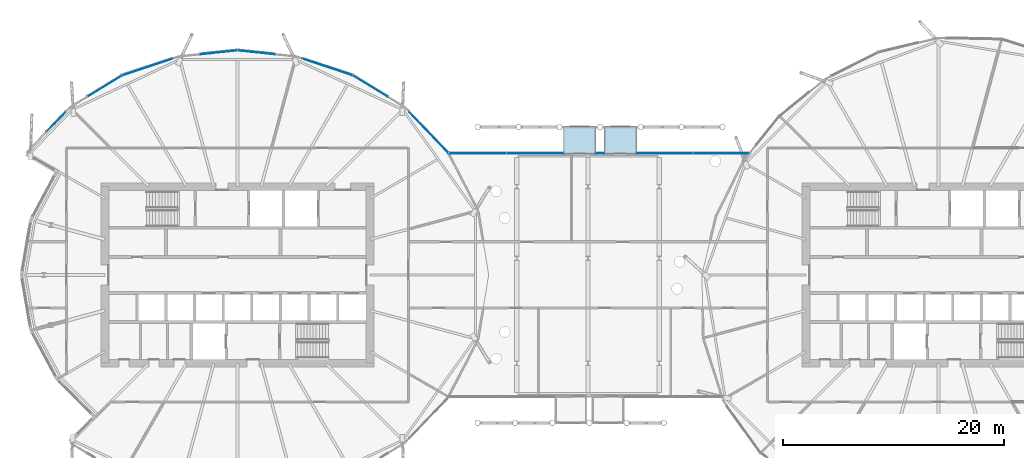
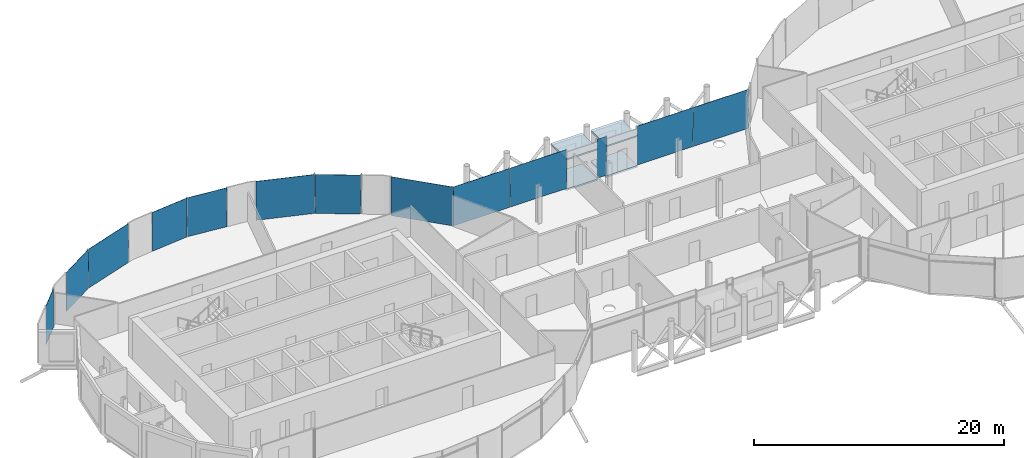
# One storey, part 22 of 39: 13 plates, 4 slabs, 2 elements without a shape of their own.
"""IFC4 building model written with IfcOpenShell, lengths in metres."""

from ifc_helpers import new_model, si_unit, direction, frame, origin, origin_2d, place, context, subcontext, project, spatial, polyline, rectangle, outline, extrude, material, layer, layer_set, type_object, element, aggregate, save


model = new_model("IFC4")

# Units and contexts
model_context = context("Model", 3, precision=1e-05, world=origin(), true_north=direction((0.0, 1.0)))
body_context = subcontext(model_context, "Body", "Model", "MODEL_VIEW")
ifc_project = project(units=[si_unit("LENGTHUNIT", "METRE"), si_unit("AREAUNIT", "SQUARE_METRE"), si_unit("VOLUMEUNIT", "CUBIC_METRE"), si_unit("PLANEANGLEUNIT", "RADIAN"), si_unit("MASSUNIT", "GRAM", prefix="KILO")], contexts=[model_context])

# Site, building, storey
site_placement = place(None, origin())
site = spatial("IfcSite", under=ifc_project, at=site_placement, CompositionType="ELEMENT")
building_placement = place(site_placement, origin())
building = spatial("IfcBuilding", under=site, at=building_placement, Name="Rimbun Link Towers", CompositionType="ELEMENT")
storey_placement = place(building_placement, frame((0.0, 0.0, 143.0)))
storey = spatial("IfcBuildingStorey", under=building, at=storey_placement, Name="L34", CompositionType="ELEMENT", Elevation=143.0)

# Slabs
ifc_material_1 = material(Name="Insulated metal floor panel on steel frame", Category="steel")
ifc_layer_1 = layer(ifc_material_1, 0.159912109375)
ifc_layer_set_1 = layer_set([ifc_layer_1], Name="CAPSULE floor panel 160")
slab_type_1 = type_object("IfcSlabType", Name="CAPSULE floor panel 160", PredefinedType="FLOOR", material=ifc_layer_set_1)
slab_1_placement = place(storey_placement, frame((0.0, 0.0, -0.219970703125)))
element("IfcSlab", 1, at=slab_1_placement, inside=storey, type_object=slab_type_1, Name="CAPSULE F34.01 floor panel", PredefinedType="FLOOR", context=body_context, shape_type="SweptSolid", body=[
    extrude(outline(polyline([(-2.203125, 11.0), (0.69677734375, 11.0), (0.69677734375, 13.449951171875), (-2.203125, 13.449951171875), (-2.203125, 11.0)])), origin(), (0.0, 0.0, 1.0), 0.159912109375),
])
slab_2_placement = place(storey_placement, frame((0.0, 0.0, -0.219970703125)))
element("IfcSlab", 2, at=slab_2_placement, inside=storey, type_object=slab_type_1, Name="CAPSULE F34.02 floor panel", PredefinedType="FLOOR", context=body_context, shape_type="SweptSolid", body=[
    extrude(outline(polyline([(1.48681640625, 11.0), (4.38671875, 11.0), (4.38671875, 13.449951171875), (1.48681640625, 13.449951171875), (1.48681640625, 11.0)])), origin(), (0.0, 0.0, 1.0), 0.159912109375),
])
ifc_material_2 = material(Name="Insulated metal roof panel with terracotta fascia", Category="masonry")
ifc_layer_2 = layer(ifc_material_2, 0.14990234375)
ifc_layer_set_2 = layer_set([ifc_layer_2], Name="CAPSULE roof panel 150")
slab_type_2 = type_object("IfcSlabType", Name="CAPSULE roof panel 150", PredefinedType="ROOF", material=ifc_layer_set_2)
slab_3_placement = place(storey_placement, frame((0.0, 0.0, 2.7900390625)))
element("IfcSlab", 3, at=slab_3_placement, inside=storey, type_object=slab_type_2, Name="CAPSULE F34.01 roof panel", PredefinedType="ROOF", context=body_context, shape_type="SweptSolid", body=[
    extrude(outline(polyline([(0.69677734375, 13.449951171875), (-2.203125, 13.449951171875), (-2.203125, 10.949951171875), (0.69677734375, 10.949951171875), (0.69677734375, 13.449951171875)])), origin(), (0.0, 0.0, 1.0), 0.14990234375),
])
slab_4_placement = place(storey_placement, frame((0.0, 0.0, 2.7900390625)))
element("IfcSlab", 4, at=slab_4_placement, inside=storey, type_object=slab_type_2, Name="CAPSULE F34.02 roof panel", PredefinedType="ROOF", context=body_context, shape_type="SweptSolid", body=[
    extrude(outline(polyline([(4.38671875, 13.449951171875), (1.48681640625, 13.449951171875), (1.48681640625, 10.949951171875), (4.38671875, 10.949951171875), (4.38671875, 13.449951171875)])), origin(), (0.0, 0.0, 1.0), 0.14990234375),
])

# Curtain wall, plate
ifc_material_3 = material(Name="Aluminium 6063-T6 and low-iron glass", Category="aluminium")
curtain_wall_type = type_object("IfcCurtainWallType", Name="CW4 link block wall", PredefinedType="NOTDEFINED", material=ifc_material_3)
curtain_wall_1_placement = place(storey_placement, origin())
curtain_wall_1 = element("IfcCurtainWall", 5, at=curtain_wall_1_placement, inside=storey, type_object=curtain_wall_type, Name="CW4 L34 LB", PredefinedType="NOTDEFINED")
ifc_material_4 = material(Name="Aluminium cladding, insulated panel", Category="aluminium")
ifc_layer_3 = layer(ifc_material_4, 0.028076171875)
ifc_layer_set_3 = layer_set([ifc_layer_3], Name="CW4 insulated panel Aluminium cladding 28")
plate_type_1 = type_object("IfcPlateType", Name="CW4 insulated panel Aluminium cladding 28", PredefinedType="CURTAIN_PANEL", material=ifc_layer_set_3)
plate_1_placement = place(storey_placement, frame((12.07958984375, 11.013916015625, 0.0), z_axis=(0.0, 0.0, 1.0), x_axis=(1.0, 0.0, 0.0)))
plate_1 = element("IfcPlate", 6, at=plate_1_placement, type_object=plate_type_1, Name="CW4 insulated panel", PredefinedType="CURTAIN_PANEL", context=body_context, shape_type="SweptSolid", body=[
    extrude(rectangle(XDim=5.1220703125, YDim=0.028076171875, at=origin_2d()), origin(), (0.0, 0.0, 1.0), 3.800048828125),
])

# Curtain wall, plates
curtain_wall_2_placement = place(storey_placement, origin())
curtain_wall_2 = element("IfcCurtainWall", 7, at=curtain_wall_2_placement, inside=storey, type_object=curtain_wall_type, Name="CW4 L34 T1", PredefinedType="NOTDEFINED")
ifc_material_5 = material(Name="Low-iron glass, laminated low-e unit", Category="glass")
ifc_layer_4 = layer(ifc_material_5, 0.028076171875)
ifc_layer_set_4 = layer_set([ifc_layer_4], Name="CW4 panel Low-iron glass 28")
plate_type_2 = type_object("IfcPlateType", Name="CW4 panel Low-iron glass 28", PredefinedType="CURTAIN_PANEL", material=ifc_layer_set_4)
plate_2_placement = place(storey_placement, frame((-14.419189453125, 12.90380859375, 0.0), z_axis=(0.0, 0.0, 1.0), x_axis=(0.692041109252, -0.721858090698, 0.0)))
plate_2 = element("IfcPlate", 8, at=plate_2_placement, type_object=plate_type_2, Name="CW4 panel", PredefinedType="CURTAIN_PANEL", context=body_context, shape_type="SweptSolid", body=[
    extrude(rectangle(XDim=5.12158203125, YDim=0.028076171875, at=origin_2d()), origin(), (0.0, 0.0, 1.0), 3.800048828125),
])
plate_3_placement = place(storey_placement, frame((-19.7197265625, 17.088623046875, 0.0), z_axis=(0.0, 0.0, 1.0), x_axis=(0.852194346217, -0.523225378089, 0.0)))
plate_3 = element("IfcPlate", 9, at=plate_3_placement, type_object=plate_type_2, Name="CW4 panel", PredefinedType="CURTAIN_PANEL", context=body_context, shape_type="SweptSolid", body=[
    extrude(rectangle(XDim=3.708740234375, YDim=0.028076171875, at=origin_2d()), origin(), (0.0, 0.0, 1.0), 3.800048828125),
])
plate_4_placement = place(storey_placement, frame((-23.60107421875, 18.82666015625, 0.0), z_axis=(0.0, 0.0, 1.0), x_axis=(0.949234953763, -0.314567961741, 0.0)))
plate_4 = element("IfcPlate", 10, at=plate_4_placement, type_object=plate_type_2, Name="CW4 panel", PredefinedType="CURTAIN_PANEL", context=body_context, shape_type="SweptSolid", body=[
    extrude(rectangle(XDim=4.765869140625, YDim=0.028076171875, at=origin_2d()), origin(), (0.0, 0.0, 1.0), 3.800048828125),
])
plate_5_placement = place(storey_placement, frame((-30.021484375, 20.147705078125, 0.0), z_axis=(0.0, 0.0, 1.0), x_axis=(0.994499069305, -0.104745411125, 0.0)))
plate_5 = element("IfcPlate", 11, at=plate_5_placement, type_object=plate_type_2, Name="CW4 panel", PredefinedType="CURTAIN_PANEL", context=body_context, shape_type="SweptSolid", body=[
    extrude(rectangle(XDim=3.433349609375, YDim=0.028076171875, at=origin_2d()), origin(), (0.0, 0.0, 1.0), 3.800048828125),
])
plate_6_placement = place(storey_placement, frame((-33.478515625, 20.147705078125, 0.0), z_axis=(0.0, 0.0, 1.0), x_axis=(0.994499069305, 0.104745411125, 0.0)))
plate_6 = element("IfcPlate", 12, at=plate_6_placement, type_object=plate_type_2, Name="CW4 panel", PredefinedType="CURTAIN_PANEL", context=body_context, shape_type="SweptSolid", body=[
    extrude(rectangle(XDim=3.433349609375, YDim=0.028076171875, at=origin_2d()), origin(), (0.0, 0.0, 1.0), 3.800048828125),
])
plate_7_placement = place(storey_placement, frame((-39.89892578125, 18.82666015625, 0.0), z_axis=(0.0, 0.0, 1.0), x_axis=(0.949234953763, 0.314567961741, 0.0)))
plate_7 = element("IfcPlate", 13, at=plate_7_placement, type_object=plate_type_2, Name="CW4 panel", PredefinedType="CURTAIN_PANEL", context=body_context, shape_type="SweptSolid", body=[
    extrude(rectangle(XDim=4.765869140625, YDim=0.028076171875, at=origin_2d()), origin(), (0.0, 0.0, 1.0), 3.800048828125),
])
plate_8_placement = place(storey_placement, frame((-43.7587890625, 17.101806640625, 0.0), z_axis=(0.0, 0.0, 1.0), x_axis=(0.852194346217, 0.523225378089, 0.0)))
plate_8 = element("IfcPlate", 14, at=plate_8_placement, type_object=plate_type_2, Name="CW4 panel", PredefinedType="CURTAIN_PANEL", context=body_context, shape_type="SweptSolid", body=[
    extrude(rectangle(XDim=3.658935546875, YDim=0.028076171875, at=origin_2d()), origin(), (0.0, 0.0, 1.0), 3.800048828125),
])
plate_9_placement = place(storey_placement, frame((-48.1640625, 13.8603515625, 0.0), z_axis=(0.0, 0.0, 1.0), x_axis=(0.692041109252, 0.721858090698, 0.0)))
plate_9 = element("IfcPlate", 15, at=plate_9_placement, type_object=plate_type_2, Name="CW4 panel", PredefinedType="CURTAIN_PANEL", context=body_context, shape_type="SweptSolid", body=[
    extrude(rectangle(XDim=2.471435546875, YDim=0.028076171875, at=origin_2d()), origin(), (0.0, 0.0, 1.0), 3.800048828125),
])
aggregate(curtain_wall_2, [plate_2, plate_3, plate_4, plate_5, plate_6, plate_7, plate_8, plate_9])

# Plate
plate_10_placement = place(storey_placement, frame((-10.008544921875, 11.013916015625, 0.0), z_axis=(0.0, 0.0, 1.0), x_axis=(1.0, 0.0, 0.0)))
plate_10 = element("IfcPlate", 16, at=plate_10_placement, type_object=plate_type_2, Name="CW4 panel", PredefinedType="CURTAIN_PANEL", context=body_context, shape_type="SweptSolid", body=[
    extrude(rectangle(XDim=5.197021484375, YDim=0.028076171875, at=origin_2d()), origin(), (0.0, 0.0, 1.0), 3.800048828125),
])

plate_11_placement = place(storey_placement, frame((-4.771728515625, 11.013916015625, 0.0), z_axis=(0.0, 0.0, 1.0), x_axis=(1.0, 0.0, 0.0)))
plate_11 = element("IfcPlate", 17, at=plate_11_placement, type_object=plate_type_2, Name="CW4 panel", PredefinedType="CURTAIN_PANEL", context=body_context, shape_type="SweptSolid", body=[
    extrude(rectangle(XDim=5.197021484375, YDim=0.028076171875, at=origin_2d()), origin(), (0.0, 0.0, 1.0), 3.800048828125),
])

plate_12_placement = place(storey_placement, frame((1.091796875, 11.013916015625, 0.0), z_axis=(0.0, 0.0, 1.0), x_axis=(1.0, 0.0, 0.0)))
plate_12 = element("IfcPlate", 18, at=plate_12_placement, type_object=plate_type_2, Name="CW4 panel", PredefinedType="CURTAIN_PANEL", context=body_context, shape_type="SweptSolid", body=[
    extrude(rectangle(XDim=0.849853515625, YDim=0.028076171875, at=origin_2d()), origin(), (0.0, 0.0, 1.0), 3.800048828125),
])

plate_13_placement = place(storey_placement, frame((6.917724609375, 11.013916015625, 0.0), z_axis=(0.0, 0.0, 1.0), x_axis=(1.0, 0.0, 0.0)))
plate_13 = element("IfcPlate", 19, at=plate_13_placement, type_object=plate_type_2, Name="CW4 panel", PredefinedType="CURTAIN_PANEL", context=body_context, shape_type="SweptSolid", body=[
    extrude(rectangle(XDim=5.1220703125, YDim=0.028076171875, at=origin_2d()), origin(), (0.0, 0.0, 1.0), 3.800048828125),
])

aggregate(curtain_wall_1, [plate_10, plate_11, plate_12, plate_13, plate_1])

save(model, "model.ifc")
